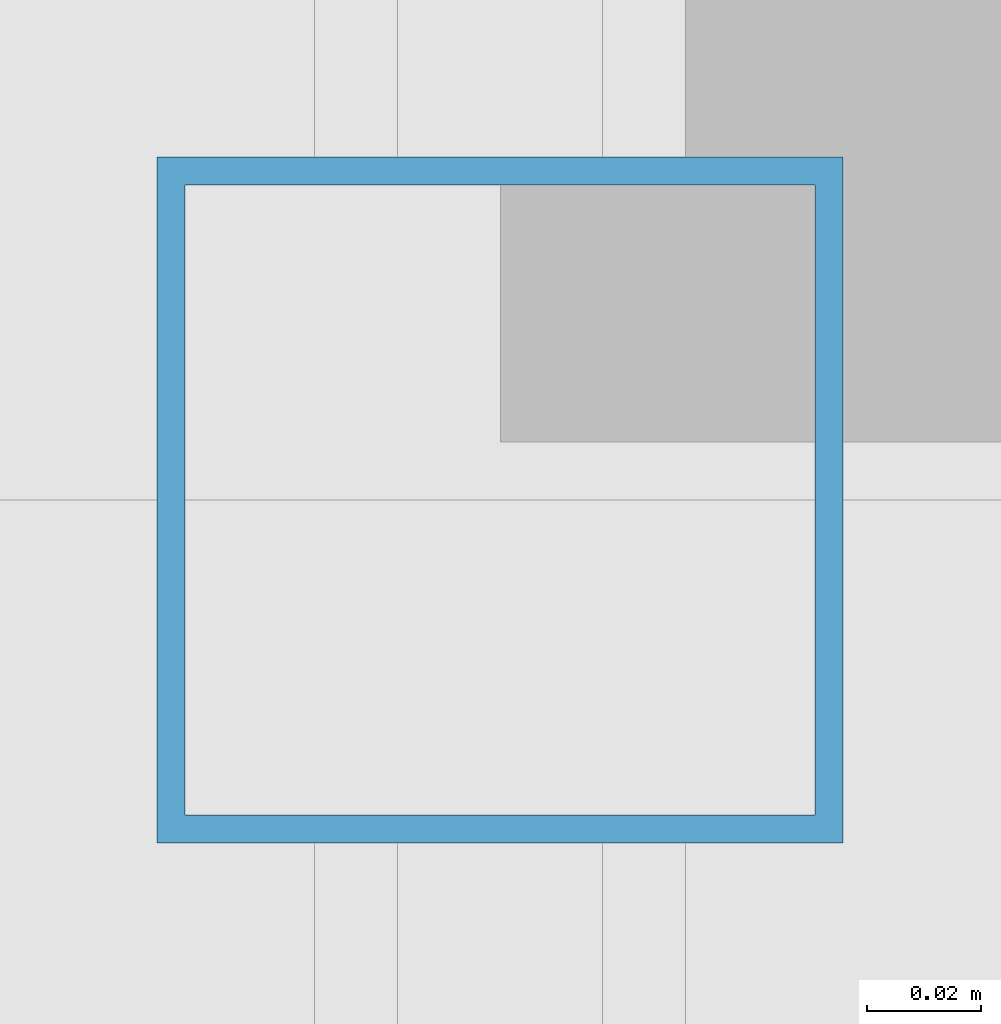
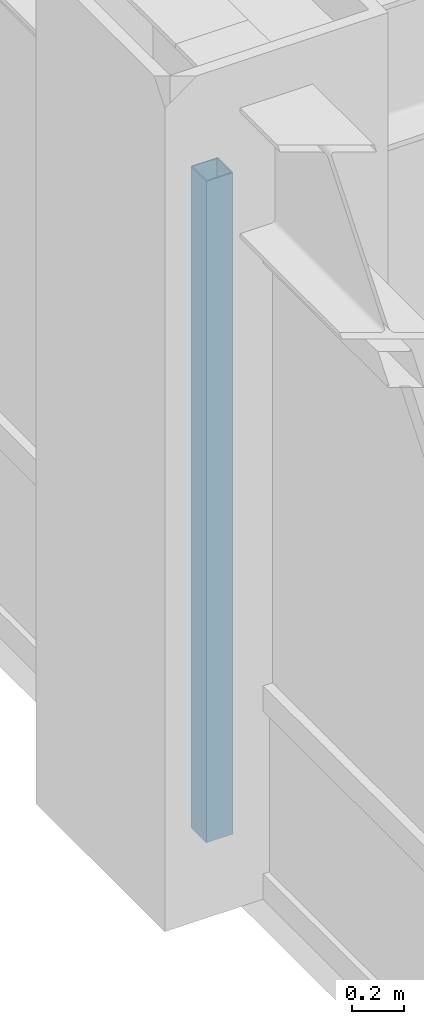
# One storey, part 6 of 25: 1 member, 1 element without a shape of its own.
"""IFC4 building model written with IfcOpenShell, lengths in metres."""

from ifc_helpers import new_model, si_unit, direction, frame, origin, origin_2d, place, context, subcontext, project, spatial, hollow_rectangle, extrude, source, transform, mapped, material, material_profile, profile_set, type_object, element, aggregate, save


model = new_model("IFC4")

# Units and contexts
model_context = context("Model", 3, precision=1e-05, world=origin(), true_north=direction((0.0, 1.0)))
body_context = subcontext(model_context, "Body", "Model", "MODEL_VIEW")
ifc_project = project(units=[si_unit("LENGTHUNIT", "METRE"), si_unit("AREAUNIT", "SQUARE_METRE"), si_unit("VOLUMEUNIT", "CUBIC_METRE"), si_unit("PLANEANGLEUNIT", "RADIAN"), si_unit("MASSUNIT", "GRAM", prefix="KILO")], contexts=[model_context])

# Site, building, storey
site_placement = place(None, origin())
site = spatial("IfcSite", under=ifc_project, at=site_placement, CompositionType="ELEMENT")
building_placement = place(site_placement, origin())
building = spatial("IfcBuilding", under=site, at=building_placement, Name="Khorayat Bourse Tower", CompositionType="ELEMENT")
storey_placement = place(building_placement, frame((0.0, 0.0, 223.10009765625)))
storey = spatial("IfcBuildingStorey", under=building, at=storey_placement, Name="L52", CompositionType="ELEMENT", Elevation=223.10009765625)

# Curtain wall, member
ifc_material = material(Name="Aluminium EN AW-6063 T6", Category="aluminium")
curtain_wall_type = type_object("IfcCurtainWallType", Name="CW-SYS-03", PredefinedType="NOTDEFINED", material=ifc_material)
curtain_wall_placement = place(storey_placement, origin())
curtain_wall = element("IfcCurtainWall", 1, at=curtain_wall_placement, inside=storey, type_object=curtain_wall_type, Name="L52 Curtain Wall CW-L52-W1", PredefinedType="NOTDEFINED")
ifc_material_profile = material_profile(ifc_material, hollow_rectangle(XDim=0.1201171875, YDim=0.1201171875, WallThickness=0.0048828125, at=origin_2d()), Name="ALU 120x120x5")
ifc_profile_set = profile_set([ifc_material_profile], Name="Aluminium EN AW-6063 T6")
member_type = type_object("IfcMemberType", Name="CWM-VERT-120", PredefinedType="MULLION", material=ifc_profile_set)
shared_shape = source(origin(), body_context, "Body", "SweptSolid", [
    extrude(hollow_rectangle(XDim=0.1201171875, YDim=0.1201171875, WallThickness=0.0048828125, at=origin_2d()), origin(), (0.0, 0.0, 1.0), 3.1298828125),
])
member_placement = place(storey_placement, frame((-30.0, 0.0, 0.0), z_axis=(0.0, 0.0, 1.0), x_axis=(-1.0, 0.0, 0.0)))
member = element("IfcMember", 2, at=member_placement, type_object=member_type, Name="CW-L52-W1 Vertical Mullion 2", PredefinedType="MULLION", context=body_context, shape_type="MappedRepresentation", body=[
    mapped(shared_shape, transform((0.0, 0.0, 0.0), scale=1.0)),
])
aggregate(curtain_wall, [member])

save(model, "model.ifc")
